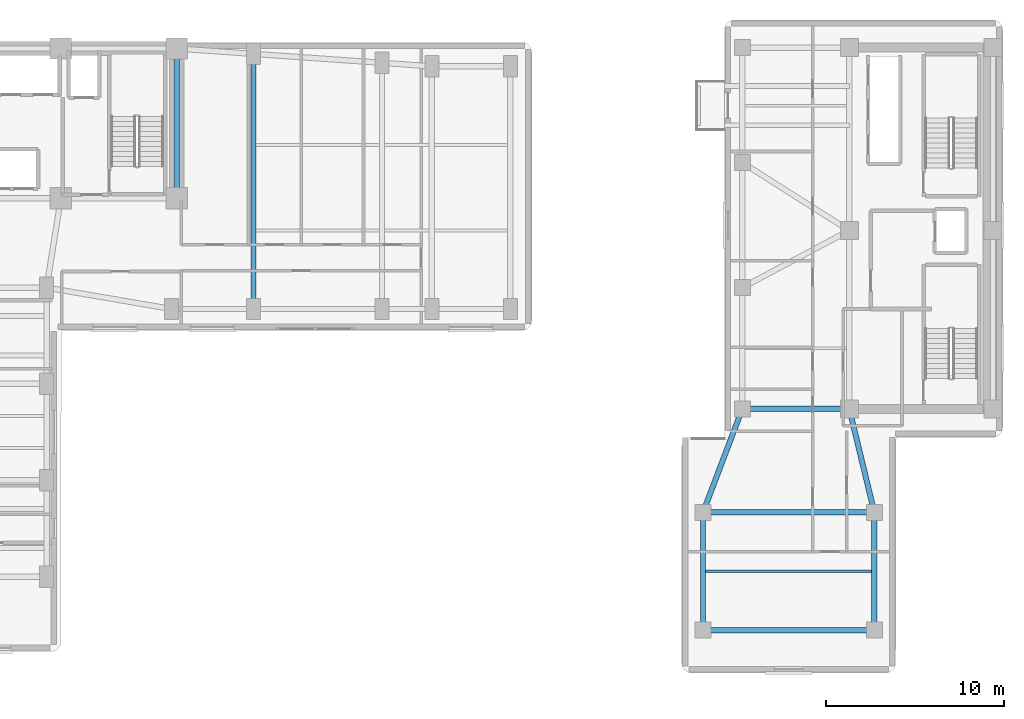
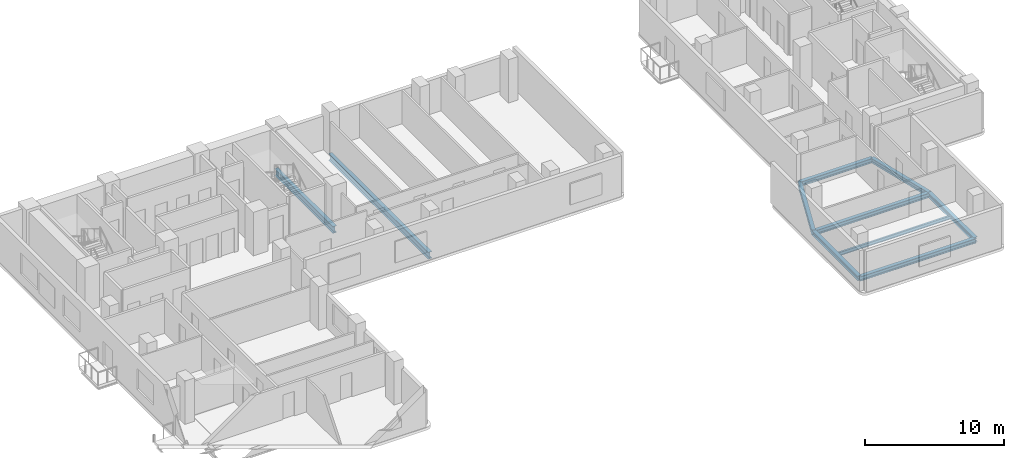
# One storey, part 5 of 16: 10 beams.
"""IFC4 building model written with IfcOpenShell, lengths in metres."""

import ifcopenshell
import ifcopenshell.guid

model = None  # the IFC model being written
_history = None  # IfcOwnerHistory: only IFC2X3 demands one
_inside = {}  # id of a spatial element -> (the spatial element, [elements in it])
_under = {}  # id of a project, library or spatial element -> (it, [spatial elements below it])
_declared = {}  # id of a project -> (the project, [libraries it declares])
_typed = {}  # id of a type object -> (the type object, [elements of that type])
_made_of = {}  # id of a material, layer set ... -> (it, [elements and type objects made of it])


def new_model(schema):
    """Start an empty IFC model of exactly this schema.

    Asked for "IFC4X3", IfcOpenShell would pick the latest addendum, in which some entities
    have other attributes; the version numbers below select the first issue.
    IFC2X3 requires an IfcOwnerHistory on every rooted entity: one is made here for all.
    """
    global model, _history
    if schema == "IFC4X3":
        model = ifcopenshell.file(schema_version=(4, 3, 0, 0))
    else:
        model = ifcopenshell.file(schema=schema)
    _inside.clear()
    _under.clear()
    _declared.clear()
    _typed.clear()
    _made_of.clear()
    _history = None
    if model.schema == "IFC2X3":
        org = make("IfcOrganization", Name="unknown")
        user = make(
            "IfcPersonAndOrganization",
            ThePerson=make("IfcPerson", FamilyName="unknown"),
            TheOrganization=org,
        )
        app = make(
            "IfcApplication",
            ApplicationDeveloper=org,
            Version="unknown",
            ApplicationFullName="unknown",
            ApplicationIdentifier="unknown",
        )
        _history = make(
            "IfcOwnerHistory",
            OwningUser=user,
            OwningApplication=app,
            ChangeAction="ADDED",
            CreationDate=0,
        )
    return model


def make(cls, **values):
    """One entity of the class cls with the attributes given. An attribute that is None is left unset."""
    return model.create_entity(
        cls, **{name: value for name, value in values.items() if value is not None}
    )


def rooted(cls, **values):
    """An entity with a GlobalId (a new one), such as an element, a storey or a relation."""
    return make(cls, GlobalId=ifcopenshell.guid.new(), OwnerHistory=_history, **values)


def si_unit(unit_type, name, prefix=None):
    """IfcSIUnit, for example si_unit("LENGTHUNIT", "METRE", prefix="MILLI")."""
    return make("IfcSIUnit", UnitType=unit_type, Prefix=prefix, Name=name)


def assignment(units):
    """IfcUnitAssignment: the units of a project."""
    return None if units is None else make("IfcUnitAssignment", Units=units)


def point(xyz):
    """IfcCartesianPoint."""
    return None if xyz is None else make("IfcCartesianPoint", Coordinates=xyz)


def direction(xyz):
    """IfcDirection."""
    return None if xyz is None else make("IfcDirection", DirectionRatios=xyz)


def frame(location, z_axis=None, x_axis=None):
    """IfcAxis2Placement3D, a coordinate frame: its origin and axes. An axis left out is left unset."""
    return make(
        "IfcAxis2Placement3D",
        Location=point(location),
        Axis=direction(z_axis),
        RefDirection=direction(x_axis),
    )


def frame_2d(location, x_axis=None):
    """IfcAxis2Placement2D, a coordinate frame in the plane: its origin and x axis."""
    return make(
        "IfcAxis2Placement2D", Location=point(location), RefDirection=direction(x_axis)
    )


def origin():
    """The frame at (0, 0, 0) with its axes left unset."""
    return frame((0.0, 0.0, 0.0))


def origin_2d():
    """The frame at (0, 0) in the plane with its x axis left unset."""
    return frame_2d((0.0, 0.0))


def place(relative_to, where):
    """IfcLocalPlacement: puts the frame where relative to a parent placement (None: the world)."""
    return make(
        "IfcLocalPlacement", PlacementRelTo=relative_to, RelativePlacement=where
    )


def context(
    kind, dimensions, precision=None, world=None, true_north=None, identifier=None
):
    """IfcGeometricRepresentationContext, for example the 3D "Model" context."""
    return make(
        "IfcGeometricRepresentationContext",
        ContextIdentifier=identifier,
        ContextType=kind,
        CoordinateSpaceDimension=dimensions,
        Precision=precision,
        WorldCoordinateSystem=world,
        TrueNorth=true_north,
    )


def subcontext(parent, identifier, kind, view, scale=None):
    """IfcGeometricRepresentationSubContext, for example "Body" below "Model"."""
    return make(
        "IfcGeometricRepresentationSubContext",
        ContextIdentifier=identifier,
        ContextType=kind,
        ParentContext=parent,
        TargetScale=scale,
        TargetView=view,
    )


def project(units=None, contexts=None):
    """IfcProject with its units and contexts."""
    return rooted(
        "IfcProject",
        Name="project",
        RepresentationContexts=contexts,
        UnitsInContext=assignment(units),
    )


def spatial(cls, under=None, at=None, **own):
    """A site, building, storey or space (cls), placed at a placement, below another one or the project."""
    s = rooted(cls, ObjectPlacement=at, **own)
    if under is not None:
        _under.setdefault(under.id(), (under, []))[1].append(s)
    return s


def profile(cls, at=None, kind="AREA", **sizes):
    """A parametric profile (cls). Its sizes go by their IFC names, for example OverallWidth=200.0."""
    return make(cls, ProfileType=kind, Position=at, **sizes)


def i_section(**sizes):
    """IfcIShapeProfileDef."""
    return profile("IfcIShapeProfileDef", **sizes)


def extrude(swept, where, along, depth):
    """IfcExtrudedAreaSolid: the profile swept, set in the frame where, extruded along a direction by depth."""
    return make(
        "IfcExtrudedAreaSolid",
        SweptArea=swept,
        Position=where,
        ExtrudedDirection=direction(along),
        Depth=depth,
    )


def shape(context_of_items, identifier, shape_type, items):
    """IfcShapeRepresentation: the items that make up one representation, for example the "Body"."""
    return make(
        "IfcShapeRepresentation",
        ContextOfItems=context_of_items,
        RepresentationIdentifier=identifier,
        RepresentationType=shape_type,
        Items=items,
    )


def material(Name=None, Category=None):
    """IfcMaterial."""
    return make("IfcMaterial", Name=Name, Category=Category)


def material_profile(
    of_material, cross_section, Name=None, Category=None, Priority=None
):
    """IfcMaterialProfile: a cross section and its material."""
    return make(
        "IfcMaterialProfile",
        Name=Name,
        Material=of_material,
        Profile=cross_section,
        Priority=Priority,
        Category=Category,
    )


def profile_set(profiles, Name=None, composite=None):
    """IfcMaterialProfileSet."""
    return make(
        "IfcMaterialProfileSet",
        Name=Name,
        MaterialProfiles=profiles,
        CompositeProfile=composite,
    )


def made_of(thing, what):
    """Note that an element or type object is made of a material, layer set ...; save() writes the relation."""
    if what is not None:
        _made_of.setdefault(what.id(), (what, []))[1].append(thing)
    return thing


def type_object(cls, material=None, **own):
    """A type object (cls), such as IfcWallType, which elements share."""
    return made_of(rooted(cls, **own), material)


def element(
    cls,
    number,
    at=None,
    inside=None,
    cuts=None,
    type_object=None,
    material=None,
    context=None,
    identifier="Body",
    shape_type=None,
    held_by="IfcProductDefinitionShape",
    body=None,
    shapes=None,
    **own,
):
    """One element of the class cls, such as IfcWall. Its Tag is "e" and its number.

    at: its placement. inside: the storey or other place that contains it. cuts: it is an
    opening in that element (IfcRelVoidsElement). A single representation is given by context,
    identifier, shape_type and body (its items); several are given by shapes. held_by: the class
    of the entity that holds the representations. save() writes the other relations.
    """
    e = rooted(cls, Tag="e%d" % number, ObjectPlacement=at, **own)
    if body is not None:
        shapes = [shape(context, identifier, shape_type, body)]
    if shapes is not None:
        e.Representation = make(held_by, Representations=shapes)
    if inside is not None:
        _inside.setdefault(inside.id(), (inside, []))[1].append(e)
    if cuts is not None:
        rooted(
            "IfcRelVoidsElement", RelatingBuildingElement=cuts, RelatedOpeningElement=e
        )
    if type_object is not None:
        _typed.setdefault(type_object.id(), (type_object, []))[1].append(e)
    return made_of(e, material)


def aggregate(whole, parts):
    """IfcRelAggregates: a whole, such as a stair, and the parts it consists of."""
    return rooted("IfcRelAggregates", RelatingObject=whole, RelatedObjects=parts)


def save(model, path):
    """Write the relations noted so far, then the file.

    IfcRelAggregates (storeys below a building ...), IfcRelContainedInSpatialStructure (elements
    in a storey), IfcRelDefinesByType, IfcRelAssociatesMaterial and IfcRelDeclares: one each for
    every whole, place, type object, material and project.
    """
    for whole, parts in _under.values():
        aggregate(whole, parts)
    for where, things in _inside.values():
        rooted(
            "IfcRelContainedInSpatialStructure",
            RelatedElements=things,
            RelatingStructure=where,
        )
    for kind, things in _typed.values():
        rooted("IfcRelDefinesByType", RelatedObjects=things, RelatingType=kind)
    for what, things in _made_of.values():
        rooted("IfcRelAssociatesMaterial", RelatedObjects=things, RelatingMaterial=what)
    for by, libraries in _declared.values():
        rooted("IfcRelDeclares", RelatingContext=by, RelatedDefinitions=libraries)
    model.write(path)


model = new_model("IFC4")

# Units and contexts
model_context = context("Model", 3, precision=1e-05, world=origin(), true_north=direction((0.0, 1.0)))
body_context = subcontext(model_context, "Body", "Model", "MODEL_VIEW")
ifc_project = project(units=[si_unit("LENGTHUNIT", "METRE"), si_unit("AREAUNIT", "SQUARE_METRE"), si_unit("VOLUMEUNIT", "CUBIC_METRE"), si_unit("PLANEANGLEUNIT", "RADIAN"), si_unit("MASSUNIT", "GRAM", prefix="KILO")], contexts=[model_context])

# Site, building, storey
site_placement = place(None, origin())
site = spatial("IfcSite", under=ifc_project, at=site_placement, CompositionType="ELEMENT")
building_placement = place(site_placement, origin())
building = spatial("IfcBuilding", under=site, at=building_placement, Name="Kuzgunbayir Cultural Tower", CompositionType="ELEMENT")
storey_placement = place(building_placement, frame((0.0, 0.0, 75.60009765625)))
storey = spatial("IfcBuildingStorey", under=building, at=storey_placement, Name="L21", CompositionType="ELEMENT", Elevation=75.60009765625)

# Beams
ifc_material = material(Name="Steel S355J2", Category="steel")
ifc_material_profile_1 = material_profile(ifc_material, i_section(OverallWidth=0.300048828125, OverallDepth=0.39990234375, WebThickness=0.013427734375, FlangeThickness=0.02392578125, FilletRadius=0.027099609375, at=origin_2d()), Name="HEB 400")
ifc_profile_set_1 = profile_set([ifc_material_profile_1], Name="Steel S355J2")
beam_type_1 = type_object("IfcBeamType", Name="BM-EXT-HEB400", PredefinedType="BEAM", material=ifc_profile_set_1)
beam_1_placement = place(storey_placement, frame((56.39990234375, 9.60009765625, -0.440185546875), z_axis=(0.0, 1.0, 0.0), x_axis=(-1.0, 0.0, 0.0)))
element("IfcBeam", 1, at=beam_1_placement, inside=storey, type_object=beam_type_1, Name="L21 Companion Wing B West Girder", PredefinedType="BEAM", context=body_context, shape_type="SweptSolid", body=[
    extrude(i_section(OverallWidth=0.300048828125, OverallDepth=0.39990234375, WebThickness=0.013427734375, FlangeThickness=0.02392578125, FilletRadius=0.027099609375, at=origin_2d()), origin(), (0.0, 0.0, 1.0), 6.599853515625),
])
beam_2_placement = place(storey_placement, frame((56.39990234375, 16.199951171875, -0.440185546875), z_axis=(0.354679148754, 0.93498807556, 0.0), x_axis=(-0.93498807556, 0.354679148754, 0.0)))
element("IfcBeam", 2, at=beam_2_placement, inside=storey, type_object=beam_type_1, Name="L21 Companion Wing B Floor Girder W", PredefinedType="BEAM", context=body_context, shape_type="SweptSolid", body=[
    extrude(i_section(OverallWidth=0.300048828125, OverallDepth=0.39990234375, WebThickness=0.013427734375, FlangeThickness=0.02392578125, FilletRadius=0.027099609375, at=origin_2d()), origin(), (0.0, 0.0, 1.0), 6.203369140625),
])
beam_3_placement = place(storey_placement, frame((66.0, 9.60009765625, -0.440185546875), z_axis=(0.0, 1.0, 0.0), x_axis=(-1.0, 0.0, 0.0)))
element("IfcBeam", 3, at=beam_3_placement, inside=storey, type_object=beam_type_1, Name="L21 Companion Wing B East Girder", PredefinedType="BEAM", context=body_context, shape_type="SweptSolid", body=[
    extrude(i_section(OverallWidth=0.300048828125, OverallDepth=0.39990234375, WebThickness=0.013427734375, FlangeThickness=0.02392578125, FilletRadius=0.027099609375, at=origin_2d()), origin(), (0.0, 0.0, 1.0), 6.599853515625),
])
beam_4_placement = place(storey_placement, frame((66.0, 16.199951171875, -0.440185546875), z_axis=(-0.234623200431, 0.972086392158, 0.0), x_axis=(-0.972086392158, -0.234623200431, 0.0)))
element("IfcBeam", 4, at=beam_4_placement, inside=storey, type_object=beam_type_1, Name="L21 Companion Wing B Floor Girder E", PredefinedType="BEAM", context=body_context, shape_type="SweptSolid", body=[
    extrude(i_section(OverallWidth=0.300048828125, OverallDepth=0.39990234375, WebThickness=0.013427734375, FlangeThickness=0.02392578125, FilletRadius=0.027099609375, at=origin_2d()), origin(), (0.0, 0.0, 1.0), 5.966552734375),
])
beam_5_placement = place(storey_placement, frame((56.39990234375, 9.60009765625, -0.440185546875), z_axis=(1.0, 0.0, 0.0), x_axis=(0.0, 1.0, 0.0)))
element("IfcBeam", 5, at=beam_5_placement, inside=storey, type_object=beam_type_1, Name="L21 Companion Wing B South Girder", PredefinedType="BEAM", context=body_context, shape_type="SweptSolid", body=[
    extrude(i_section(OverallWidth=0.300048828125, OverallDepth=0.39990234375, WebThickness=0.013427734375, FlangeThickness=0.02392578125, FilletRadius=0.027099609375, at=origin_2d()), origin(), (0.0, 0.0, 1.0), 9.60009765625),
])
ifc_material_profile_2 = material_profile(ifc_material, i_section(OverallWidth=0.300048828125, OverallDepth=0.39990234375, WebThickness=0.013427734375, FlangeThickness=0.02392578125, FilletRadius=0.027099609375, at=origin_2d()), Name="HEB 400")
ifc_profile_set_2 = profile_set([ifc_material_profile_2], Name="Steel S355J2")
beam_type_2 = type_object("IfcBeamType", Name="BM-GIR-HEB400", PredefinedType="BEAM", material=ifc_profile_set_2)
beam_6_placement = place(storey_placement, frame((58.60009765625, 22.0, -0.440185546875), z_axis=(1.0, 0.0, 0.0), x_axis=(0.0, 1.0, 0.0)))
element("IfcBeam", 6, at=beam_6_placement, inside=storey, type_object=beam_type_2, Name="L21 Companion Transverse Girder 1", PredefinedType="BEAM", context=body_context, shape_type="SweptSolid", body=[
    extrude(i_section(OverallWidth=0.300048828125, OverallDepth=0.39990234375, WebThickness=0.013427734375, FlangeThickness=0.02392578125, FilletRadius=0.027099609375, at=origin_2d()), origin(), (0.0, 0.0, 1.0), 6.0),
])
beam_7_placement = place(storey_placement, frame((56.39990234375, 16.199951171875, -0.440185546875), z_axis=(1.0, 0.0, 0.0), x_axis=(0.0, 1.0, 0.0)))
element("IfcBeam", 7, at=beam_7_placement, inside=storey, type_object=beam_type_2, Name="L21 Companion Wing B Mid Girder", PredefinedType="BEAM", context=body_context, shape_type="SweptSolid", body=[
    extrude(i_section(OverallWidth=0.300048828125, OverallDepth=0.39990234375, WebThickness=0.013427734375, FlangeThickness=0.02392578125, FilletRadius=0.027099609375, at=origin_2d()), origin(), (0.0, 0.0, 1.0), 9.60009765625),
])
ifc_material_profile_3 = material_profile(ifc_material, i_section(OverallWidth=0.300048828125, OverallDepth=0.60009765625, WebThickness=0.015380859375, FlangeThickness=0.030029296875, FilletRadius=0.027099609375, at=origin_2d()), Name="HEB 600")
ifc_profile_set_3 = profile_set([ifc_material_profile_3], Name="Steel S355J2")
beam_type_3 = type_object("IfcBeamType", Name="BM-GIR-HEB600", PredefinedType="BEAM", material=ifc_profile_set_3)
beam_8_placement = place(storey_placement, frame((26.89990234375, 33.800048828125, -0.5400390625), z_axis=(0.0, 1.0, 0.0), x_axis=(-1.0, 0.0, 0.0)))
element("IfcBeam", 8, at=beam_8_placement, inside=storey, type_object=beam_type_3, Name="L21 Core East Edge Girder", PredefinedType="BEAM", context=body_context, shape_type="SweptSolid", body=[
    extrude(i_section(OverallWidth=0.300048828125, OverallDepth=0.60009765625, WebThickness=0.015380859375, FlangeThickness=0.030029296875, FilletRadius=0.027099609375, at=origin_2d()), origin(), (0.0, 0.0, 1.0), 8.39990234375),
])
beam_9_placement = place(storey_placement, frame((31.199951171875, 27.60009765625, -0.5400390625), z_axis=(0.0, 1.0, 0.0), x_axis=(-1.0, 0.0, 0.0)))
element("IfcBeam", 9, at=beam_9_placement, inside=storey, type_object=beam_type_3, Name="L21 Wing B Cross Girder 31", PredefinedType="BEAM", context=body_context, shape_type="SweptSolid", body=[
    extrude(i_section(OverallWidth=0.300048828125, OverallDepth=0.60009765625, WebThickness=0.015380859375, FlangeThickness=0.030029296875, FilletRadius=0.027099609375, at=origin_2d()), origin(), (0.0, 0.0, 1.0), 14.2998046875),
])
ifc_material_profile_4 = material_profile(ifc_material, i_section(OverallWidth=0.14990234375, OverallDepth=0.300048828125, WebThickness=0.007080078125, FlangeThickness=0.0107421875, FilletRadius=0.014892578125, at=origin_2d()), Name="IPE 300")
ifc_profile_set_4 = profile_set([ifc_material_profile_4], Name="Steel S355J2")
beam_type_4 = type_object("IfcBeamType", Name="BM-JST-IPE300", PredefinedType="JOIST", material=ifc_profile_set_4)
beam_10_placement = place(storey_placement, frame((56.550048828125, 12.89990234375, -0.39013671875), z_axis=(1.0, 0.0, 0.0), x_axis=(0.0, 1.0, 0.0)))
element("IfcBeam", 10, at=beam_10_placement, inside=storey, type_object=beam_type_4, Name="L21 Companion Wing B Joist", PredefinedType="JOIST", context=body_context, shape_type="SweptSolid", body=[
    extrude(i_section(OverallWidth=0.14990234375, OverallDepth=0.300048828125, WebThickness=0.007080078125, FlangeThickness=0.0107421875, FilletRadius=0.014892578125, at=origin_2d()), origin(), (0.0, 0.0, 1.0), 9.300048828125),
])

save(model, "model.ifc")
